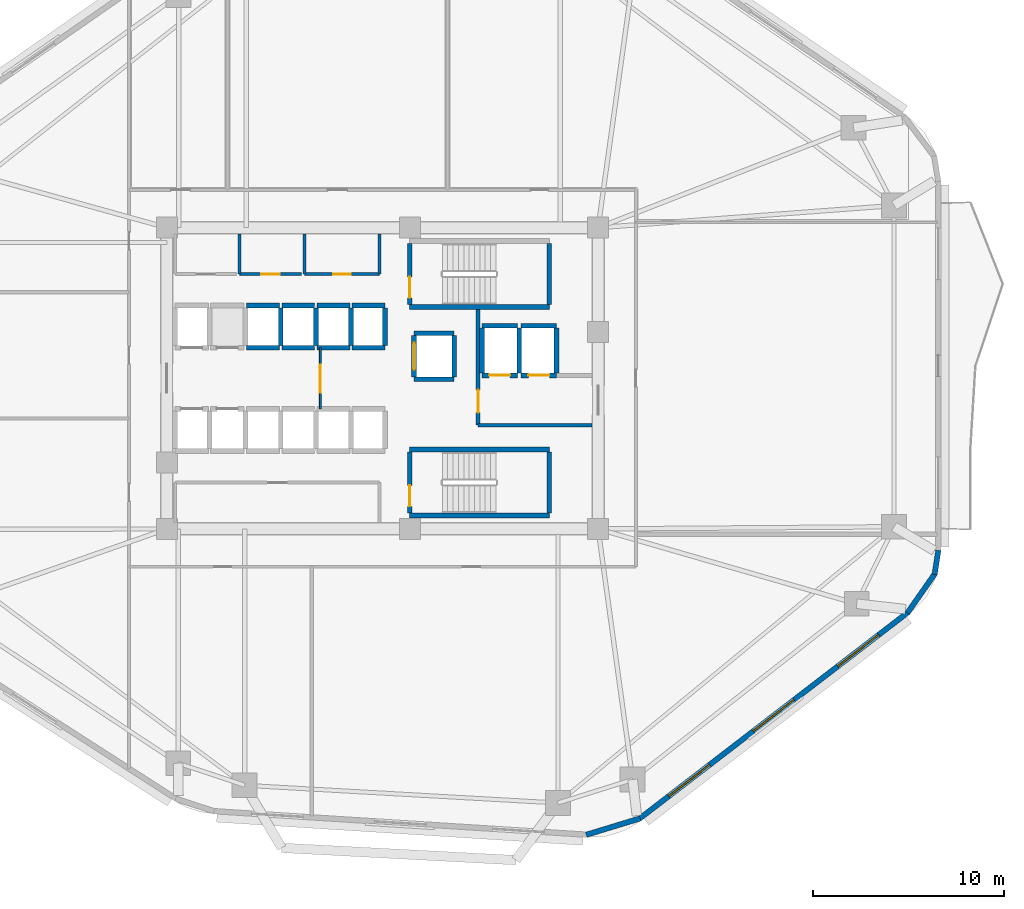
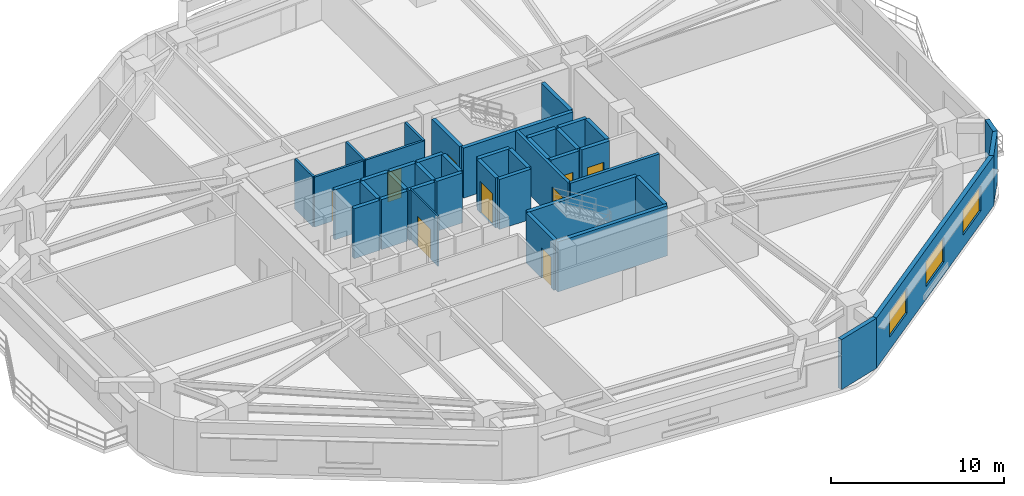
# One storey, part 4 of 10: 42 walls, 9 doors, 3 windows, 12 openings.
"""IFC4 building model written with IfcOpenShell, lengths in metres."""

from ifc_helpers import new_model, si_unit, direction, frame, frame_2d, origin, place, context, subcontext, project, spatial, rectangle, extrude, material, layer, layer_set, type_object, element, fill, save


model = new_model("IFC4")

# Units and contexts
model_context = context("Model", 3, precision=1e-05, world=origin(), true_north=direction((0.0, 1.0)))
body_context = subcontext(model_context, "Body", "Model", "MODEL_VIEW")
ifc_project = project(units=[si_unit("LENGTHUNIT", "METRE"), si_unit("AREAUNIT", "SQUARE_METRE"), si_unit("VOLUMEUNIT", "CUBIC_METRE"), si_unit("PLANEANGLEUNIT", "RADIAN"), si_unit("MASSUNIT", "GRAM", prefix="KILO")], contexts=[model_context])

# Site, building, storey
site_placement = place(None, origin())
site = spatial("IfcSite", under=ifc_project, at=site_placement, CompositionType="ELEMENT")
building_placement = place(site_placement, origin())
building = spatial("IfcBuilding", under=site, at=building_placement, Name="Zulverin Broadcast Headquarters", CompositionType="ELEMENT")
storey_placement = place(building_placement, frame((0.0, 0.0, 36.39990234375)))
storey = spatial("IfcBuildingStorey", under=building, at=storey_placement, Name="L08", CompositionType="ELEMENT", Elevation=36.39990234375)

# Wall, openings, windows
ifc_material_1 = material(Name="Insulated pale-metal clad concrete spandrel C40/50", Category="concrete")
ifc_layer_1 = layer(ifc_material_1, 0.280029296875, Name="Insulated pale-metal clad concrete spandrel C40/50", Category="concrete")
ifc_layer_set_1 = layer_set([ifc_layer_1], Name="Insulated pale-metal clad concrete spandrel C40/50")
wall_type_1 = type_object("IfcWallType", Name="WL-EXT-280", PredefinedType="STANDARD", material=ifc_layer_set_1)
wall_1_placement = place(storey_placement, frame((50.4287109375, 2.171630859375, 0.0), z_axis=(0.0, 0.0, 1.0), x_axis=(0.792937466367, 0.609303023488, 0.0)))
wall_1 = element("IfcWall", 1, at=wall_1_placement, inside=storey, type_object=wall_type_1, Name="L08 Pale-Metal Clad Spandrel Wall 2", PredefinedType="STANDARD", context=body_context, shape_type="SweptSolid", body=[
    extrude(rectangle(XDim=17.712890625, YDim=0.280029296875, at=frame_2d((8.8564453125, 0.0))), origin(), (0.0, 0.0, 1.0), 3.525146484375),
])
opening_1_placement = place(wall_1_placement, frame((1.935546875, 0.0, 0.89990234375)))
opening_1 = element("IfcOpeningElement", 2, at=opening_1_placement, cuts=wall_1, Name="Opening W-L08-E21", PredefinedType="OPENING", context=body_context, shape_type="SweptSolid", body=[
    extrude(rectangle(XDim=2.699951171875, YDim=1.75, at=frame_2d((1.35009765625, 0.875))), frame((0.0, 0.14990234375, 0.0), z_axis=(0.0, -1.0, 0.0), x_axis=(1.0, 0.0, 0.0)), (0.0, 0.0, 1.0), 0.300048828125),
])
opening_2_placement = place(wall_1_placement, frame((7.50634765625, 0.0, 0.89990234375)))
opening_2 = element("IfcOpeningElement", 3, at=opening_2_placement, cuts=wall_1, Name="Opening W-L08-E22", PredefinedType="OPENING", context=body_context, shape_type="SweptSolid", body=[
    extrude(rectangle(XDim=2.699951171875, YDim=1.75, at=frame_2d((1.35009765625, 0.875))), frame((0.0, 0.14990234375, 0.0), z_axis=(0.0, -1.0, 0.0), x_axis=(1.0, 0.0, 0.0)), (0.0, 0.0, 1.0), 0.300048828125),
])
opening_3_placement = place(wall_1_placement, frame((13.077392578125, 0.0, 0.89990234375)))
opening_3 = element("IfcOpeningElement", 4, at=opening_3_placement, cuts=wall_1, Name="Opening W-L08-E23", PredefinedType="OPENING", context=body_context, shape_type="SweptSolid", body=[
    extrude(rectangle(XDim=2.699951171875, YDim=1.75, at=frame_2d((1.35009765625, 0.875))), frame((0.0, 0.14990234375, 0.0), z_axis=(0.0, -1.0, 0.0), x_axis=(1.0, 0.0, 0.0)), (0.0, 0.0, 1.0), 0.300048828125),
])
ifc_material_2 = material(Name="Pale anodized aluminium frame with solar-control low-E double glazing", Category="aluminium")
window_type = type_object("IfcWindowType", Name="WIN-TWR-2700", PartitioningType="SINGLE_PANEL", PredefinedType="WINDOW", material=ifc_material_2)
window_1_placement = place(opening_1_placement, origin())
window_1 = element("IfcWindow", 5, at=window_1_placement, inside=storey, type_object=window_type, Name="L08 Ribbon Glazing Window 2 1", OverallHeight=1.75, OverallWidth=2.699951171875, PartitioningType="SINGLE_PANEL", PredefinedType="WINDOW", context=body_context, shape_type="SweptSolid", body=[
    extrude(rectangle(XDim=2.699951171875, YDim=1.75, at=frame_2d((1.35009765625, 0.875))), frame((0.0, 0.030029296875, 0.0), z_axis=(0.0, -1.0, 0.0), x_axis=(1.0, 0.0, 0.0)), (0.0, 0.0, 1.0), 0.06005859375),
])
fill(opening_1, window_1)
window_2_placement = place(opening_2_placement, origin())
window_2 = element("IfcWindow", 6, at=window_2_placement, inside=storey, type_object=window_type, Name="L08 Ribbon Glazing Window 2 2", OverallHeight=1.75, OverallWidth=2.699951171875, PartitioningType="SINGLE_PANEL", PredefinedType="WINDOW", context=body_context, shape_type="SweptSolid", body=[
    extrude(rectangle(XDim=2.699951171875, YDim=1.75, at=frame_2d((1.35009765625, 0.875))), frame((0.0, 0.030029296875, 0.0), z_axis=(0.0, -1.0, 0.0), x_axis=(1.0, 0.0, 0.0)), (0.0, 0.0, 1.0), 0.06005859375),
])
fill(opening_2, window_2)
window_3_placement = place(opening_3_placement, origin())
window_3 = element("IfcWindow", 7, at=window_3_placement, inside=storey, type_object=window_type, Name="L08 Ribbon Glazing Window 2 3", OverallHeight=1.75, OverallWidth=2.699951171875, PartitioningType="SINGLE_PANEL", PredefinedType="WINDOW", context=body_context, shape_type="SweptSolid", body=[
    extrude(rectangle(XDim=2.699951171875, YDim=1.75, at=frame_2d((1.35009765625, 0.875))), frame((0.0, 0.030029296875, 0.0), z_axis=(0.0, -1.0, 0.0), x_axis=(1.0, 0.0, 0.0)), (0.0, 0.0, 1.0), 0.06005859375),
])
fill(opening_3, window_3)

# Walls
wall_2_placement = place(storey_placement, frame((47.649658203125, 1.3330078125, 0.0), z_axis=(0.0, 0.0, 1.0), x_axis=(0.956461287977, 0.291859220516, 0.0)))
element("IfcWall", 8, at=wall_2_placement, inside=storey, type_object=wall_type_1, Name="L08 Wind-Shaped Corner Spandrel Wall 1-1", PredefinedType="STANDARD", context=body_context, shape_type="SweptSolid", body=[
    extrude(rectangle(XDim=2.951904296875, YDim=0.280029296875, at=frame_2d((1.47607421875, 0.0))), origin(), (0.0, 0.0, 1.0), 3.525146484375),
])
wall_3_placement = place(storey_placement, frame((64.4443359375, 12.933349609375, 0.0), z_axis=(0.0, 0.0, 1.0), x_axis=(0.573176686443, 0.819431806875, 0.0)))
element("IfcWall", 9, at=wall_3_placement, inside=storey, type_object=wall_type_1, Name="L08 Wind-Shaped Corner Spandrel Wall 2-1", PredefinedType="STANDARD", context=body_context, shape_type="SweptSolid", body=[
    extrude(rectangle(XDim=2.524169921875, YDim=0.280029296875, at=frame_2d((1.26220703125, 0.0))), origin(), (0.0, 0.0, 1.0), 3.525146484375),
])
wall_4_placement = place(storey_placement, frame((65.867431640625, 14.942626953125, 0.0), z_axis=(0.0, 0.0, 1.0), x_axis=(0.152014078361, 0.988378328364, 0.0)))
element("IfcWall", 10, at=wall_4_placement, inside=storey, type_object=wall_type_1, Name="L08 Wind-Shaped Corner Spandrel Wall 2-2", PredefinedType="STANDARD", context=body_context, shape_type="SweptSolid", body=[
    extrude(rectangle(XDim=1.27685546875, YDim=0.280029296875, at=frame_2d((0.638427734375, 0.0))), origin(), (0.0, 0.0, 1.0), 3.525146484375),
])

# Wall, opening, door
ifc_material_3 = material(Name="Concrete C40/50", Category="concrete")
ifc_layer_2 = layer(ifc_material_3, 0.199951171875, Name="Concrete C40/50", Category="concrete")
ifc_layer_set_2 = layer_set([ifc_layer_2], Name="Concrete C40/50")
wall_type_2 = type_object("IfcWallType", Name="WL-FFL-200", PredefinedType="SOLIDWALL", material=ifc_layer_set_2)
wall_5_placement = place(storey_placement, frame((42.0, 22.75, 0.0), z_axis=(0.0, 0.0, 1.0), x_axis=(0.0, 1.0, 0.0)))
wall_5 = element("IfcWall", 11, at=wall_5_placement, inside=storey, type_object=wall_type_2, Name="L08 Firefighting Lift Lobby West Wall", PredefinedType="SOLIDWALL", context=body_context, shape_type="SweptSolid", body=[
    extrude(rectangle(XDim=6.050048828125, YDim=0.199951171875, at=frame_2d((3.02490234375, 0.0))), origin(), (0.0, 0.0, 1.0), 3.525146484375),
])
opening_4_placement = place(wall_5_placement, frame((0.64990234375, 0.0, 0.0)))
opening_4 = element("IfcOpeningElement", 12, at=opening_4_placement, cuts=wall_5, Name="Opening D-L08-FFLW", PredefinedType="OPENING", context=body_context, shape_type="SweptSolid", body=[
    extrude(rectangle(XDim=1.199951171875, YDim=2.14990234375, at=frame_2d((0.60009765625, 1.074951171875))), frame((0.0, 0.10986328125, 0.0), z_axis=(0.0, -1.0, 0.0), x_axis=(1.0, 0.0, 0.0)), (0.0, 0.0, 1.0), 0.219970703125),
])
ifc_material_4 = material(Name="Fire-rated steel leaf and frame", Category="steel")
door_type_1 = type_object("IfcDoorType", Name="DR-FFL-1200", OperationType="SINGLE_SWING_RIGHT", PredefinedType="DOOR", material=ifc_material_4)
door_1_placement = place(opening_4_placement, origin())
door_1 = element("IfcDoor", 13, at=door_1_placement, inside=storey, type_object=door_type_1, Name="L08 Firefighting Lift Lobby Door", OperationType="SINGLE_SWING_RIGHT", OverallHeight=2.14990234375, OverallWidth=1.199951171875, PredefinedType="DOOR", context=body_context, shape_type="SweptSolid", body=[
    extrude(rectangle(XDim=1.199951171875, YDim=2.14990234375, at=frame_2d((0.60009765625, 1.074951171875))), frame((0.0, 0.02490234375, 0.0), z_axis=(0.0, -1.0, 0.0), x_axis=(1.0, 0.0, 0.0)), (0.0, 0.0, 1.0), 0.050048828125),
])
fill(opening_4, door_1)

# Wall
wall_6_placement = place(storey_placement, frame((42.0, 22.75, 0.0), z_axis=(0.0, 0.0, 1.0), x_axis=(1.0, 0.0, 0.0)))
element("IfcWall", 14, at=wall_6_placement, inside=storey, type_object=wall_type_2, Name="L08 Firefighting Lift Lobby South Wall", PredefinedType="SOLIDWALL", context=body_context, shape_type="SweptSolid", body=[
    extrude(rectangle(XDim=5.949951171875, YDim=0.199951171875, at=frame_2d((2.97509765625, 0.0))), origin(), (0.0, 0.0, 1.0), 3.525146484375),
])

# Wall, opening, door
ifc_material_5 = material(Name="Fire-rated acoustic laminated glass screen", Category="glass")
ifc_layer_3 = layer(ifc_material_5, 0.10009765625, Name="Fire-rated acoustic laminated glass screen", Category="glass")
ifc_layer_set_3 = layer_set([ifc_layer_3], Name="Fire-rated acoustic laminated glass screen")
wall_type_3 = type_object("IfcWallType", Name="WL-GLAZ-100", PredefinedType="PARTITIONING", material=ifc_layer_set_3)
wall_7_placement = place(storey_placement, frame((33.75, 23.60009765625, 0.0), z_axis=(0.0, 0.0, 1.0), x_axis=(0.0, 1.0, 0.0)))
wall_7 = element("IfcWall", 15, at=wall_7_placement, inside=storey, type_object=wall_type_3, Name="L08 Core Lobby Acoustic Screen", PredefinedType="PARTITIONING", context=body_context, shape_type="SweptSolid", body=[
    extrude(rectangle(XDim=3.199951171875, YDim=0.10009765625, at=frame_2d((1.60009765625, 0.0))), origin(), (0.0, 0.0, 1.0), 3.525146484375),
])
opening_5_placement = place(wall_7_placement, frame((0.85009765625, 0.0, 0.0)))
opening_5 = element("IfcOpeningElement", 16, at=opening_5_placement, cuts=wall_7, Name="Opening D-L08-CL1", PredefinedType="OPENING", context=body_context, shape_type="SweptSolid", body=[
    extrude(rectangle(XDim=1.449951171875, YDim=2.1201171875, at=frame_2d((0.72509765625, 1.06005859375))), frame((0.0, 0.06005859375, 0.0), z_axis=(0.0, -1.0, 0.0), x_axis=(1.0, 0.0, 0.0)), (0.0, 0.0, 1.0), 0.1201171875),
])
ifc_material_6 = material(Name="Fire-rated acoustic glazed double leaf", Category="glass")
door_type_2 = type_object("IfcDoorType", Name="DR-GLZ-1450", OperationType="DOUBLE_DOOR_SINGLE_SWING", PredefinedType="DOOR", material=ifc_material_6)
door_2_placement = place(opening_5_placement, origin())
door_2 = element("IfcDoor", 17, at=door_2_placement, inside=storey, type_object=door_type_2, Name="L08 Core Lobby Vestibule Door", OperationType="DOUBLE_DOOR_SINGLE_SWING", OverallHeight=2.1201171875, OverallWidth=1.449951171875, PredefinedType="DOOR", context=body_context, shape_type="SweptSolid", body=[
    extrude(rectangle(XDim=1.449951171875, YDim=2.1201171875, at=frame_2d((0.72509765625, 1.06005859375))), frame((0.0, 0.02490234375, 0.0), z_axis=(0.0, -1.0, 0.0), x_axis=(1.0, 0.0, 0.0)), (0.0, 0.0, 1.0), 0.050048828125),
])
fill(opening_5, door_2)

ifc_material_7 = material(Name="Fire-rated gypsum stud partition", Category="gypsum")
ifc_layer_4 = layer(ifc_material_7, 0.14990234375, Name="Fire-rated gypsum stud partition", Category="gypsum")
ifc_layer_set_4 = layer_set([ifc_layer_4], Name="Fire-rated gypsum stud partition")
wall_type_4 = type_object("IfcWallType", Name="WL-PART-150", PredefinedType="PARTITIONING", material=ifc_layer_set_4)
wall_8_placement = place(storey_placement, frame((29.530029296875, 30.64990234375, 0.0), z_axis=(0.0, 0.0, 1.0), x_axis=(1.0, 0.0, 0.0)))
wall_8 = element("IfcWall", 18, at=wall_8_placement, inside=storey, type_object=wall_type_4, Name="L08 Core Male WC Front Wall", PredefinedType="PARTITIONING", context=body_context, shape_type="SweptSolid", body=[
    extrude(rectangle(XDim=3.239990234375, YDim=0.14990234375, at=frame_2d((1.6201171875, 0.0))), origin(), (0.0, 0.0, 1.0), 3.525146484375),
])
opening_6_placement = place(wall_8_placement, frame((1.14501953125, 0.0, 0.0)))
opening_6 = element("IfcOpeningElement", 19, at=opening_6_placement, cuts=wall_8, Name="Opening D-L08-NC2", PredefinedType="OPENING", context=body_context, shape_type="SweptSolid", body=[
    extrude(rectangle(XDim=0.949951171875, YDim=2.10009765625, at=frame_2d((0.47509765625, 1.050048828125))), frame((0.0, 0.0849609375, 0.0), z_axis=(0.0, -1.0, 0.0), x_axis=(1.0, 0.0, 0.0)), (0.0, 0.0, 1.0), 0.169921875),
])
ifc_material_8 = material(Name="Fire-rated moisture-resistant laminate leaf", Category="wood")
door_type_3 = type_object("IfcDoorType", Name="DR-WC-950", OperationType="SINGLE_SWING_LEFT", PredefinedType="DOOR", material=ifc_material_8)
door_3_placement = place(opening_6_placement, origin())
door_3 = element("IfcDoor", 20, at=door_3_placement, inside=storey, type_object=door_type_3, Name="L08 Male WC Door", OperationType="SINGLE_SWING_RIGHT", OverallHeight=2.10009765625, OverallWidth=0.949951171875, PredefinedType="DOOR", context=body_context, shape_type="SweptSolid", body=[
    extrude(rectangle(XDim=0.949951171875, YDim=2.10009765625, at=frame_2d((0.47509765625, 1.050048828125))), frame((0.0, 0.02490234375, 0.0), z_axis=(0.0, -1.0, 0.0), x_axis=(1.0, 0.0, 0.0)), (0.0, 0.0, 1.0), 0.050048828125),
])
fill(opening_6, door_3)

# Wall
wall_9_placement = place(storey_placement, frame((29.530029296875, 30.64990234375, 0.0), z_axis=(0.0, 0.0, 1.0), x_axis=(0.0, 1.0, 0.0)))
element("IfcWall", 21, at=wall_9_placement, inside=storey, type_object=wall_type_4, Name="L08 Core Male WC West Wall", PredefinedType="PARTITIONING", context=body_context, shape_type="SweptSolid", body=[
    extrude(rectangle(XDim=2.10009765625, YDim=0.14990234375, at=frame_2d((1.050048828125, 0.0))), origin(), (0.0, 0.0, 1.0), 3.525146484375),
])

# Wall, opening, door
wall_10_placement = place(storey_placement, frame((32.929931640625, 30.64990234375, 0.0), z_axis=(0.0, 0.0, 1.0), x_axis=(1.0, 0.0, 0.0)))
wall_10 = element("IfcWall", 22, at=wall_10_placement, inside=storey, type_object=wall_type_4, Name="L08 Core Electrical Switch Riser Front Wall", PredefinedType="PARTITIONING", context=body_context, shape_type="SweptSolid", body=[
    extrude(rectangle(XDim=3.920166015625, YDim=0.14990234375, at=frame_2d((1.9599609375, 0.0))), origin(), (0.0, 0.0, 1.0), 3.525146484375),
])
opening_7_placement = place(wall_10_placement, frame((1.510009765625, 0.0, 0.0)))
opening_7 = element("IfcOpeningElement", 23, at=opening_7_placement, cuts=wall_10, Name="Opening D-L08-NC3", PredefinedType="OPENING", context=body_context, shape_type="SweptSolid", body=[
    extrude(rectangle(XDim=0.89990234375, YDim=2.10009765625, at=frame_2d((0.449951171875, 1.050048828125))), frame((0.0, 0.0849609375, 0.0), z_axis=(0.0, -1.0, 0.0), x_axis=(1.0, 0.0, 0.0)), (0.0, 0.0, 1.0), 0.169921875),
])
ifc_material_9 = material(Name="Powder-coated steel access leaf", Category="steel")
door_type_4 = type_object("IfcDoorType", Name="DR-RISER-900", OperationType="SINGLE_SWING_LEFT", PredefinedType="DOOR", material=ifc_material_9)
door_4_placement = place(opening_7_placement, origin())
door_4 = element("IfcDoor", 24, at=door_4_placement, inside=storey, type_object=door_type_4, Name="L08 Electrical Switch Riser Door", OperationType="SINGLE_SWING_LEFT", OverallHeight=2.10009765625, OverallWidth=0.89990234375, PredefinedType="DOOR", context=body_context, shape_type="SweptSolid", body=[
    extrude(rectangle(XDim=0.89990234375, YDim=2.10009765625, at=frame_2d((0.449951171875, 1.050048828125))), frame((0.0, 0.02490234375, 0.0), z_axis=(0.0, -1.0, 0.0), x_axis=(1.0, 0.0, 0.0)), (0.0, 0.0, 1.0), 0.050048828125),
])
fill(opening_7, door_4)

# Walls
for number, where, z_axis, x_axis, name in (
    (25, (32.929931640625, 30.64990234375, 0.0), (0.0, 0.0, 1.0), (0.0, 1.0, 0.0), "L08 Core Electrical Switch Riser West Wall"),
    (26, (36.85009765625, 30.64990234375, 0.0), (0.0, 0.0, 1.0), (0.0, 1.0, 0.0), "L08 Core Electrical Switch Riser East Wall"),
):
    element("IfcWall", number, at=place(storey_placement, frame(where, z_axis=z_axis, x_axis=x_axis)), inside=storey, type_object=wall_type_4, Name=name, PredefinedType="PARTITIONING", context=body_context, shape_type="SweptSolid", body=[
        extrude(rectangle(XDim=2.10009765625, YDim=0.14990234375, at=frame_2d((1.050048828125, 0.0))), origin(), (0.0, 0.0, 1.0), 3.525146484375),
    ])
ifc_material_10 = material(Name="Concrete C50/60", Category="concrete")
ifc_layer_5 = layer(ifc_material_10, 0.25, Name="Concrete C50/60", Category="concrete")
ifc_layer_set_5 = layer_set([ifc_layer_5], Name="Concrete C50/60")
wall_type_5 = type_object("IfcWallType", Name="WL-SHAFT-250", PredefinedType="SHEAR", material=ifc_layer_set_5)
wall_11_placement = place(storey_placement, frame((38.425048828125, 28.925048828125, 0.0), z_axis=(0.0, 0.0, 1.0), x_axis=(1.0, 0.0, 0.0)))
element("IfcWall", 27, at=wall_11_placement, inside=storey, type_object=wall_type_5, Name="L08 ST-1 Enclosure Wall S", PredefinedType="SHEAR", context=body_context, shape_type="SweptSolid", body=[
    extrude(rectangle(XDim=7.300048828125, YDim=0.25, at=frame_2d((3.64990234375, 0.0))), origin(), (0.0, 0.0, 1.0), 3.525146484375),
])

# Wall, opening, door
wall_12_placement = place(storey_placement, frame((38.425048828125, 29.050048828125, 0.0), z_axis=(0.0, 0.0, 1.0), x_axis=(0.0, 1.0, 0.0)))
wall_12 = element("IfcWall", 28, at=wall_12_placement, inside=storey, type_object=wall_type_5, Name="L08 ST-1 Enclosure Wall W", PredefinedType="SHEAR", context=body_context, shape_type="SweptSolid", body=[
    extrude(rectangle(XDim=3.199951171875, YDim=0.25, at=frame_2d((1.60009765625, 0.0))), origin(), (0.0, 0.0, 1.0), 3.525146484375),
])
opening_8_placement = place(wall_12_placement, frame((0.35009765625, 0.0, 0.0)))
opening_8 = element("IfcOpeningElement", 29, at=opening_8_placement, cuts=wall_12, Name="Opening D-L08-ST-1", PredefinedType="OPENING", context=body_context, shape_type="SweptSolid", body=[
    extrude(rectangle(XDim=1.10009765625, YDim=2.14990234375, at=frame_2d((0.550048828125, 1.074951171875))), frame((0.0, 0.135009765625, 0.0), z_axis=(0.0, -1.0, 0.0), x_axis=(1.0, 0.0, 0.0)), (0.0, 0.0, 1.0), 0.27001953125),
])
door_type_5 = type_object("IfcDoorType", Name="DR-STAIR-1100", OperationType="SINGLE_SWING_LEFT", PredefinedType="DOOR", material=ifc_material_4)
door_5_placement = place(opening_8_placement, origin())
door_5 = element("IfcDoor", 30, at=door_5_placement, inside=storey, type_object=door_type_5, Name="L08 Exit Stair ST-1 Fire Door", OperationType="SINGLE_SWING_LEFT", OverallHeight=2.14990234375, OverallWidth=1.10009765625, PredefinedType="DOOR", context=body_context, shape_type="SweptSolid", body=[
    extrude(rectangle(XDim=1.10009765625, YDim=2.14990234375, at=frame_2d((0.550048828125, 1.074951171875))), frame((0.0, 0.02490234375, 0.0), z_axis=(0.0, -1.0, 0.0), x_axis=(1.0, 0.0, 0.0)), (0.0, 0.0, 1.0), 0.050048828125),
])
fill(opening_8, door_5)

# Walls
wall_13_placement = place(storey_placement, frame((45.72509765625, 29.050048828125, 0.0), z_axis=(0.0, 0.0, 1.0), x_axis=(0.0, 1.0, 0.0)))
element("IfcWall", 31, at=wall_13_placement, inside=storey, type_object=wall_type_5, Name="L08 ST-1 Enclosure Wall E", PredefinedType="SHEAR", context=body_context, shape_type="SweptSolid", body=[
    extrude(rectangle(XDim=3.199951171875, YDim=0.25, at=frame_2d((1.60009765625, 0.0))), origin(), (0.0, 0.0, 1.0), 3.525146484375),
])
for number, where, z_axis, x_axis, name in (
    (32, (38.425048828125, 18.02490234375, 0.0), (0.0, 0.0, 1.0), (1.0, 0.0, 0.0), "L08 ST-2 Enclosure Wall S"),
    (33, (38.425048828125, 21.47509765625, 0.0), (0.0, 0.0, 1.0), (1.0, 0.0, 0.0), "L08 ST-2 Enclosure Wall N"),
):
    element("IfcWall", number, at=place(storey_placement, frame(where, z_axis=z_axis, x_axis=x_axis)), inside=storey, type_object=wall_type_5, Name=name, PredefinedType="SHEAR", context=body_context, shape_type="SweptSolid", body=[
        extrude(rectangle(XDim=7.300048828125, YDim=0.25, at=frame_2d((3.64990234375, 0.0))), origin(), (0.0, 0.0, 1.0), 3.525146484375),
    ])

# Wall, opening, door
wall_14_placement = place(storey_placement, frame((38.425048828125, 18.14990234375, 0.0), z_axis=(0.0, 0.0, 1.0), x_axis=(0.0, 1.0, 0.0)))
wall_14 = element("IfcWall", 34, at=wall_14_placement, inside=storey, type_object=wall_type_5, Name="L08 ST-2 Enclosure Wall W", PredefinedType="SHEAR", context=body_context, shape_type="SweptSolid", body=[
    extrude(rectangle(XDim=3.2001953125, YDim=0.25, at=frame_2d((1.60009765625, 0.0))), origin(), (0.0, 0.0, 1.0), 3.525146484375),
])
opening_9_placement = place(wall_14_placement, frame((0.35009765625, 0.0, 0.0)))
opening_9 = element("IfcOpeningElement", 35, at=opening_9_placement, cuts=wall_14, Name="Opening D-L08-ST-2", PredefinedType="OPENING", context=body_context, shape_type="SweptSolid", body=[
    extrude(rectangle(XDim=1.10009765625, YDim=2.14990234375, at=frame_2d((0.550048828125, 1.074951171875))), frame((0.0, 0.135009765625, 0.0), z_axis=(0.0, -1.0, 0.0), x_axis=(1.0, 0.0, 0.0)), (0.0, 0.0, 1.0), 0.27001953125),
])
door_6_placement = place(opening_9_placement, origin())
door_6 = element("IfcDoor", 36, at=door_6_placement, inside=storey, type_object=door_type_5, Name="L08 Exit Stair ST-2 Fire Door", OperationType="SINGLE_SWING_RIGHT", OverallHeight=2.14990234375, OverallWidth=1.10009765625, PredefinedType="DOOR", context=body_context, shape_type="SweptSolid", body=[
    extrude(rectangle(XDim=1.10009765625, YDim=2.14990234375, at=frame_2d((0.550048828125, 1.074951171875))), frame((0.0, 0.02490234375, 0.0), z_axis=(0.0, -1.0, 0.0), x_axis=(1.0, 0.0, 0.0)), (0.0, 0.0, 1.0), 0.050048828125),
])
fill(opening_9, door_6)

# Walls
wall_15_placement = place(storey_placement, frame((45.72509765625, 18.14990234375, 0.0), z_axis=(0.0, 0.0, 1.0), x_axis=(0.0, 1.0, 0.0)))
element("IfcWall", 37, at=wall_15_placement, inside=storey, type_object=wall_type_5, Name="L08 ST-2 Enclosure Wall E", PredefinedType="SHEAR", context=body_context, shape_type="SweptSolid", body=[
    extrude(rectangle(XDim=3.2001953125, YDim=0.25, at=frame_2d((1.60009765625, 0.0))), origin(), (0.0, 0.0, 1.0), 3.525146484375),
])
for number, where, z_axis, x_axis, name in (
    (38, (29.89990234375, 26.800048828125, 0.0), (0.0, 0.0, 1.0), (1.0, 0.0, 0.0), "L08 Lift PL-H1 Shaft Wall S"),
    (39, (29.89990234375, 29.0, 0.0), (0.0, 0.0, 1.0), (1.0, 0.0, 0.0), "L08 Lift PL-H1 Shaft Wall N"),
):
    element("IfcWall", number, at=place(storey_placement, frame(where, z_axis=z_axis, x_axis=x_axis)), inside=storey, type_object=wall_type_5, Name=name, PredefinedType="SHEAR", context=body_context, shape_type="SweptSolid", body=[
        extrude(rectangle(XDim=1.72021484375, YDim=0.25, at=frame_2d((0.860107421875, 0.0))), origin(), (0.0, 0.0, 1.0), 3.525146484375),
    ])
wall_16_placement = place(storey_placement, frame((31.679931640625, 26.919921875, 0.0), z_axis=(0.0, 0.0, 1.0), x_axis=(0.0, 1.0, 0.0)))
element("IfcWall", 40, at=wall_16_placement, inside=storey, type_object=wall_type_5, Name="L08 Lift PL-H1 Shaft Wall E", PredefinedType="SHEAR", context=body_context, shape_type="SweptSolid", body=[
    extrude(rectangle(XDim=1.9599609375, YDim=0.25, at=frame_2d((0.97998046875, 0.0))), origin(), (0.0, 0.0, 1.0), 3.525146484375),
])
for number, where, z_axis, x_axis, name in (
    (41, (31.739990234375, 26.800048828125, 0.0), (0.0, 0.0, 1.0), (1.0, 0.0, 0.0), "L08 Lift PL-H2 Shaft Wall S"),
    (42, (31.739990234375, 29.0, 0.0), (0.0, 0.0, 1.0), (1.0, 0.0, 0.0), "L08 Lift PL-H2 Shaft Wall N"),
):
    element("IfcWall", number, at=place(storey_placement, frame(where, z_axis=z_axis, x_axis=x_axis)), inside=storey, type_object=wall_type_5, Name=name, PredefinedType="SHEAR", context=body_context, shape_type="SweptSolid", body=[
        extrude(rectangle(XDim=1.719970703125, YDim=0.25, at=frame_2d((0.85986328125, 0.0))), origin(), (0.0, 0.0, 1.0), 3.525146484375),
    ])
wall_17_placement = place(storey_placement, frame((33.52001953125, 26.919921875, 0.0), z_axis=(0.0, 0.0, 1.0), x_axis=(0.0, 1.0, 0.0)))
element("IfcWall", 43, at=wall_17_placement, inside=storey, type_object=wall_type_5, Name="L08 Lift PL-H2 Shaft Wall E", PredefinedType="SHEAR", context=body_context, shape_type="SweptSolid", body=[
    extrude(rectangle(XDim=1.9599609375, YDim=0.25, at=frame_2d((0.97998046875, 0.0))), origin(), (0.0, 0.0, 1.0), 3.525146484375),
])
for number, where, z_axis, x_axis, name in (
    (44, (33.580078125, 26.800048828125, 0.0), (0.0, 0.0, 1.0), (1.0, 0.0, 0.0), "L08 Lift PL-H3 Shaft Wall S"),
    (45, (33.580078125, 29.0, 0.0), (0.0, 0.0, 1.0), (1.0, 0.0, 0.0), "L08 Lift PL-H3 Shaft Wall N"),
):
    element("IfcWall", number, at=place(storey_placement, frame(where, z_axis=z_axis, x_axis=x_axis)), inside=storey, type_object=wall_type_5, Name=name, PredefinedType="SHEAR", context=body_context, shape_type="SweptSolid", body=[
        extrude(rectangle(XDim=1.719970703125, YDim=0.25, at=frame_2d((0.85986328125, 0.0))), origin(), (0.0, 0.0, 1.0), 3.525146484375),
    ])
wall_18_placement = place(storey_placement, frame((35.360107421875, 26.919921875, 0.0), z_axis=(0.0, 0.0, 1.0), x_axis=(0.0, 1.0, 0.0)))
element("IfcWall", 46, at=wall_18_placement, inside=storey, type_object=wall_type_5, Name="L08 Lift PL-H3 Shaft Wall E", PredefinedType="SHEAR", context=body_context, shape_type="SweptSolid", body=[
    extrude(rectangle(XDim=1.9599609375, YDim=0.25, at=frame_2d((0.97998046875, 0.0))), origin(), (0.0, 0.0, 1.0), 3.525146484375),
])
for number, where, z_axis, x_axis, name in (
    (47, (35.419921875, 26.800048828125, 0.0), (0.0, 0.0, 1.0), (1.0, 0.0, 0.0), "L08 Lift PL-H4 Shaft Wall S"),
    (48, (35.419921875, 29.0, 0.0), (0.0, 0.0, 1.0), (1.0, 0.0, 0.0), "L08 Lift PL-H4 Shaft Wall N"),
):
    element("IfcWall", number, at=place(storey_placement, frame(where, z_axis=z_axis, x_axis=x_axis)), inside=storey, type_object=wall_type_5, Name=name, PredefinedType="SHEAR", context=body_context, shape_type="SweptSolid", body=[
        extrude(rectangle(XDim=1.719970703125, YDim=0.25, at=frame_2d((0.85986328125, 0.0))), origin(), (0.0, 0.0, 1.0), 3.525146484375),
    ])
wall_19_placement = place(storey_placement, frame((37.139892578125, 26.919921875, 0.0), z_axis=(0.0, 0.0, 1.0), x_axis=(0.0, 1.0, 0.0)))
element("IfcWall", 49, at=wall_19_placement, inside=storey, type_object=wall_type_5, Name="L08 Lift PL-H4 Shaft Wall E", PredefinedType="SHEAR", context=body_context, shape_type="SweptSolid", body=[
    extrude(rectangle(XDim=1.9599609375, YDim=0.25, at=frame_2d((0.97998046875, 0.0))), origin(), (0.0, 0.0, 1.0), 3.525146484375),
])

# Wall, opening, door
wall_20_placement = place(storey_placement, frame((42.199951171875, 25.35009765625, 0.0), z_axis=(0.0, 0.0, 1.0), x_axis=(1.0, 0.0, 0.0)))
wall_20 = element("IfcWall", 50, at=wall_20_placement, inside=storey, type_object=wall_type_5, Name="L08 Lift FFL-1 Shaft Wall S", PredefinedType="SHEAR", context=body_context, shape_type="SweptSolid", body=[
    extrude(rectangle(XDim=1.85009765625, YDim=0.25, at=frame_2d((0.925048828125, 0.0))), origin(), (0.0, 0.0, 1.0), 3.525146484375),
])
opening_10_placement = place(wall_20_placement, frame((0.375, 0.0, 0.0)))
opening_10 = element("IfcOpeningElement", 51, at=opening_10_placement, cuts=wall_20, Name="Opening LD-FFL-1-L08", PredefinedType="OPENING", context=body_context, shape_type="SweptSolid", body=[
    extrude(rectangle(XDim=1.10009765625, YDim=2.14990234375, at=frame_2d((0.550048828125, 1.074951171875))), frame((0.0, 0.135009765625, 0.0), z_axis=(0.0, -1.0, 0.0), x_axis=(1.0, 0.0, 0.0)), (0.0, 0.0, 1.0), 0.27001953125),
])
ifc_material_11 = material(Name="Fire-rated stainless landing door", Category="steel")
door_type_6 = type_object("IfcDoorType", Name="LD-FFL-1100", OperationType="DOUBLE_DOOR_SLIDING", PredefinedType="DOOR", material=ifc_material_11)
door_7_placement = place(opening_10_placement, origin())
door_7 = element("IfcDoor", 52, at=door_7_placement, inside=storey, type_object=door_type_6, Name="L08 Lift FFL-1 Sliding Landing Door", OperationType="DOUBLE_DOOR_SLIDING", OverallHeight=2.14990234375, OverallWidth=1.10009765625, PredefinedType="DOOR", context=body_context, shape_type="SweptSolid", body=[
    extrude(rectangle(XDim=1.10009765625, YDim=2.14990234375, at=frame_2d((0.550048828125, 1.074951171875))), frame((0.0, 0.02490234375, 0.0), z_axis=(0.0, -1.0, 0.0), x_axis=(1.0, 0.0, 0.0)), (0.0, 0.0, 1.0), 0.050048828125),
])
fill(opening_10, door_7)

# Walls
wall_21_placement = place(storey_placement, frame((42.199951171875, 27.949951171875, 0.0), z_axis=(0.0, 0.0, 1.0), x_axis=(1.0, 0.0, 0.0)))
element("IfcWall", 53, at=wall_21_placement, inside=storey, type_object=wall_type_5, Name="L08 Lift FFL-1 Shaft Wall N", PredefinedType="SHEAR", context=body_context, shape_type="SweptSolid", body=[
    extrude(rectangle(XDim=1.85009765625, YDim=0.25, at=frame_2d((0.925048828125, 0.0))), origin(), (0.0, 0.0, 1.0), 3.525146484375),
])
for number, where, z_axis, x_axis, name in (
    (54, (42.199951171875, 25.469970703125, 0.0), (0.0, 0.0, 1.0), (0.0, 1.0, 0.0), "L08 Lift FFL-1 Shaft Wall W"),
    (55, (44.14990234375, 25.469970703125, 0.0), (0.0, 0.0, 1.0), (0.0, 1.0, 0.0), "L08 Lift FFL-1 Shaft Wall E"),
):
    element("IfcWall", number, at=place(storey_placement, frame(where, z_axis=z_axis, x_axis=x_axis)), inside=storey, type_object=wall_type_5, Name=name, PredefinedType="SHEAR", context=body_context, shape_type="SweptSolid", body=[
        extrude(rectangle(XDim=2.360107421875, YDim=0.25, at=frame_2d((1.18017578125, 0.0))), origin(), (0.0, 0.0, 1.0), 3.525146484375),
    ])

# Wall, opening, door
wall_22_placement = place(storey_placement, frame((44.25, 25.35009765625, 0.0), z_axis=(0.0, 0.0, 1.0), x_axis=(1.0, 0.0, 0.0)))
wall_22 = element("IfcWall", 56, at=wall_22_placement, inside=storey, type_object=wall_type_5, Name="L08 Lift FFL-2 Shaft Wall S", PredefinedType="SHEAR", context=body_context, shape_type="SweptSolid", body=[
    extrude(rectangle(XDim=1.85009765625, YDim=0.25, at=frame_2d((0.925048828125, 0.0))), origin(), (0.0, 0.0, 1.0), 3.525146484375),
])
opening_11_placement = place(wall_22_placement, frame((0.375, 0.0, 0.0)))
opening_11 = element("IfcOpeningElement", 57, at=opening_11_placement, cuts=wall_22, Name="Opening LD-FFL-2-L08", PredefinedType="OPENING", context=body_context, shape_type="SweptSolid", body=[
    extrude(rectangle(XDim=1.10009765625, YDim=2.14990234375, at=frame_2d((0.550048828125, 1.074951171875))), frame((0.0, 0.135009765625, 0.0), z_axis=(0.0, -1.0, 0.0), x_axis=(1.0, 0.0, 0.0)), (0.0, 0.0, 1.0), 0.27001953125),
])
door_8_placement = place(opening_11_placement, origin())
door_8 = element("IfcDoor", 58, at=door_8_placement, inside=storey, type_object=door_type_6, Name="L08 Lift FFL-2 Sliding Landing Door", OperationType="DOUBLE_DOOR_SLIDING", OverallHeight=2.14990234375, OverallWidth=1.10009765625, PredefinedType="DOOR", context=body_context, shape_type="SweptSolid", body=[
    extrude(rectangle(XDim=1.10009765625, YDim=2.14990234375, at=frame_2d((0.550048828125, 1.074951171875))), frame((0.0, 0.02490234375, 0.0), z_axis=(0.0, -1.0, 0.0), x_axis=(1.0, 0.0, 0.0)), (0.0, 0.0, 1.0), 0.050048828125),
])
fill(opening_11, door_8)

# Walls
wall_23_placement = place(storey_placement, frame((44.25, 27.949951171875, 0.0), z_axis=(0.0, 0.0, 1.0), x_axis=(1.0, 0.0, 0.0)))
element("IfcWall", 59, at=wall_23_placement, inside=storey, type_object=wall_type_5, Name="L08 Lift FFL-2 Shaft Wall N", PredefinedType="SHEAR", context=body_context, shape_type="SweptSolid", body=[
    extrude(rectangle(XDim=1.85009765625, YDim=0.25, at=frame_2d((0.925048828125, 0.0))), origin(), (0.0, 0.0, 1.0), 3.525146484375),
])
wall_24_placement = place(storey_placement, frame((46.10009765625, 25.469970703125, 0.0), z_axis=(0.0, 0.0, 1.0), x_axis=(0.0, 1.0, 0.0)))
element("IfcWall", 60, at=wall_24_placement, inside=storey, type_object=wall_type_5, Name="L08 Lift FFL-2 Shaft Wall E", PredefinedType="SHEAR", context=body_context, shape_type="SweptSolid", body=[
    extrude(rectangle(XDim=2.360107421875, YDim=0.25, at=frame_2d((1.18017578125, 0.0))), origin(), (0.0, 0.0, 1.0), 3.525146484375),
])
for number, where, z_axis, x_axis, name in (
    (61, (38.64990234375, 25.14990234375, 0.0), (0.0, 0.0, 1.0), (1.0, 0.0, 0.0), "L08 Lift SVL-1 Shaft Wall S"),
    (62, (38.64990234375, 27.550048828125, 0.0), (0.0, 0.0, 1.0), (1.0, 0.0, 0.0), "L08 Lift SVL-1 Shaft Wall N"),
):
    element("IfcWall", number, at=place(storey_placement, frame(where, z_axis=z_axis, x_axis=x_axis)), inside=storey, type_object=wall_type_5, Name=name, PredefinedType="SHEAR", context=body_context, shape_type="SweptSolid", body=[
        extrude(rectangle(XDim=2.10009765625, YDim=0.25, at=frame_2d((1.050048828125, 0.0))), origin(), (0.0, 0.0, 1.0), 3.525146484375),
    ])

# Wall, opening, door
wall_25_placement = place(storey_placement, frame((38.64990234375, 25.27001953125, 0.0), z_axis=(0.0, 0.0, 1.0), x_axis=(0.0, 1.0, 0.0)))
wall_25 = element("IfcWall", 63, at=wall_25_placement, inside=storey, type_object=wall_type_5, Name="L08 Lift SVL-1 Shaft Wall W", PredefinedType="SHEAR", context=body_context, shape_type="SweptSolid", body=[
    extrude(rectangle(XDim=2.159912109375, YDim=0.25, at=frame_2d((1.080078125, 0.0))), origin(), (0.0, 0.0, 1.0), 3.525146484375),
])
opening_12_placement = place(wall_25_placement, frame((0.3798828125, 0.0, 0.0)))
opening_12 = element("IfcOpeningElement", 64, at=opening_12_placement, cuts=wall_25, Name="Opening LD-SVL-1-L08", PredefinedType="OPENING", context=body_context, shape_type="SweptSolid", body=[
    extrude(rectangle(XDim=1.39990234375, YDim=2.199951171875, at=frame_2d((0.699951171875, 1.10009765625))), frame((0.0, 0.135009765625, 0.0), z_axis=(0.0, -1.0, 0.0), x_axis=(1.0, 0.0, 0.0)), (0.0, 0.0, 1.0), 0.27001953125),
])
ifc_material_12 = material(Name="Heavy-duty stainless landing door", Category="steel")
door_type_7 = type_object("IfcDoorType", Name="LD-GOODS-1400", OperationType="DOUBLE_DOOR_SLIDING", PredefinedType="DOOR", material=ifc_material_12)
door_9_placement = place(opening_12_placement, origin())
door_9 = element("IfcDoor", 65, at=door_9_placement, inside=storey, type_object=door_type_7, Name="L08 Lift SVL-1 Sliding Landing Door", OperationType="DOUBLE_DOOR_SLIDING", OverallHeight=2.199951171875, OverallWidth=1.39990234375, PredefinedType="DOOR", context=body_context, shape_type="SweptSolid", body=[
    extrude(rectangle(XDim=1.39990234375, YDim=2.199951171875, at=frame_2d((0.699951171875, 1.10009765625))), frame((0.0, 0.02490234375, 0.0), z_axis=(0.0, -1.0, 0.0), x_axis=(1.0, 0.0, 0.0)), (0.0, 0.0, 1.0), 0.050048828125),
])
fill(opening_12, door_9)

# Wall
wall_26_placement = place(storey_placement, frame((40.75, 25.27001953125, 0.0), z_axis=(0.0, 0.0, 1.0), x_axis=(0.0, 1.0, 0.0)))
element("IfcWall", 66, at=wall_26_placement, inside=storey, type_object=wall_type_5, Name="L08 Lift SVL-1 Shaft Wall E", PredefinedType="SHEAR", context=body_context, shape_type="SweptSolid", body=[
    extrude(rectangle(XDim=2.159912109375, YDim=0.25, at=frame_2d((1.080078125, 0.0))), origin(), (0.0, 0.0, 1.0), 3.525146484375),
])

save(model, "model.ifc")
